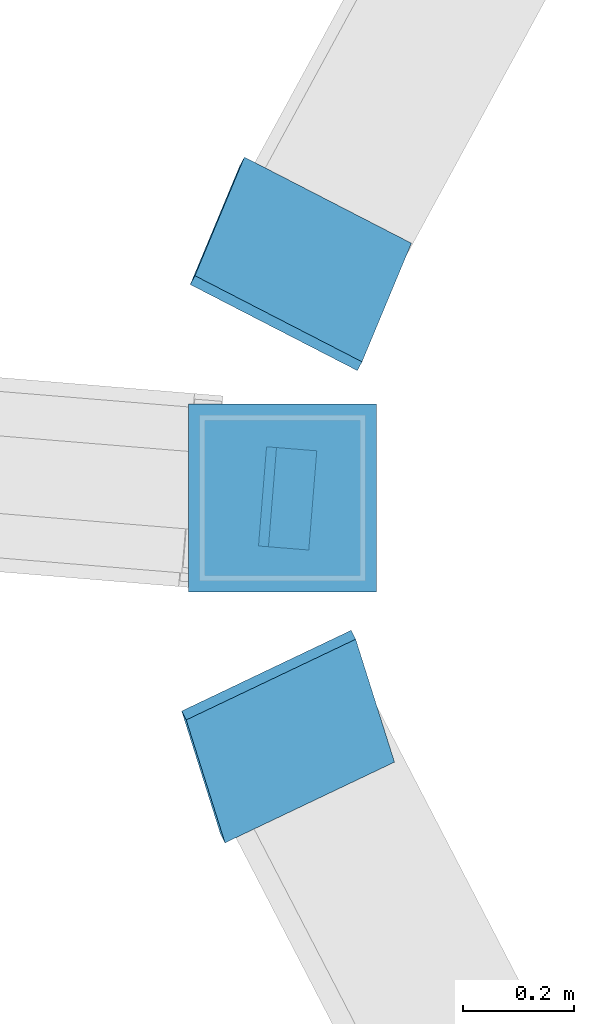
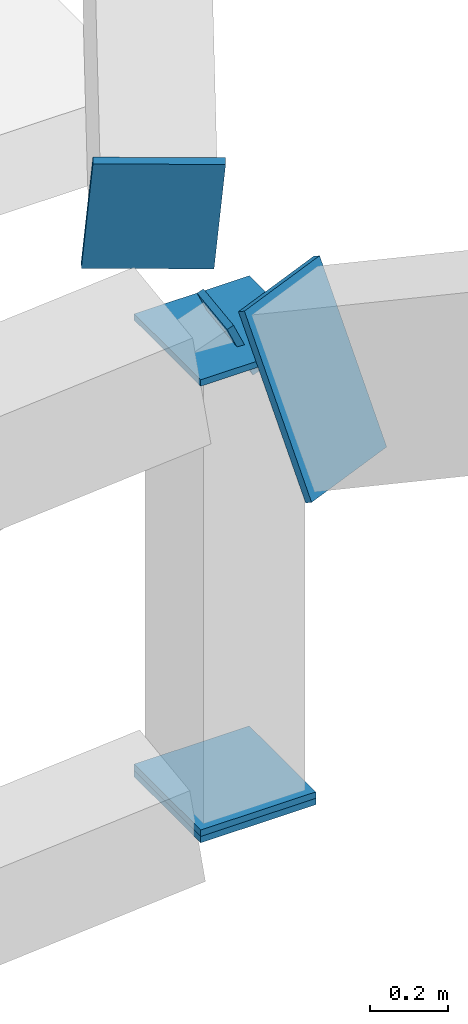
# One storey, part 149 of 188: 6 discrete accessories.
"""IFC4 building model written with IfcOpenShell, lengths in metres."""

import ifcopenshell
import ifcopenshell.guid

model = None  # the IFC model being written
_history = None  # IfcOwnerHistory: only IFC2X3 demands one
_inside = {}  # id of a spatial element -> (the spatial element, [elements in it])
_under = {}  # id of a project, library or spatial element -> (it, [spatial elements below it])
_declared = {}  # id of a project -> (the project, [libraries it declares])
_typed = {}  # id of a type object -> (the type object, [elements of that type])
_made_of = {}  # id of a material, layer set ... -> (it, [elements and type objects made of it])


def new_model(schema):
    """Start an empty IFC model of exactly this schema.

    Asked for "IFC4X3", IfcOpenShell would pick the latest addendum, in which some entities
    have other attributes; the version numbers below select the first issue.
    IFC2X3 requires an IfcOwnerHistory on every rooted entity: one is made here for all.
    """
    global model, _history
    if schema == "IFC4X3":
        model = ifcopenshell.file(schema_version=(4, 3, 0, 0))
    else:
        model = ifcopenshell.file(schema=schema)
    _inside.clear()
    _under.clear()
    _declared.clear()
    _typed.clear()
    _made_of.clear()
    _history = None
    if model.schema == "IFC2X3":
        org = make("IfcOrganization", Name="unknown")
        user = make(
            "IfcPersonAndOrganization",
            ThePerson=make("IfcPerson", FamilyName="unknown"),
            TheOrganization=org,
        )
        app = make(
            "IfcApplication",
            ApplicationDeveloper=org,
            Version="unknown",
            ApplicationFullName="unknown",
            ApplicationIdentifier="unknown",
        )
        _history = make(
            "IfcOwnerHistory",
            OwningUser=user,
            OwningApplication=app,
            ChangeAction="ADDED",
            CreationDate=0,
        )
    return model


def make(cls, **values):
    """One entity of the class cls with the attributes given. An attribute that is None is left unset."""
    return model.create_entity(
        cls, **{name: value for name, value in values.items() if value is not None}
    )


def rooted(cls, **values):
    """An entity with a GlobalId (a new one), such as an element, a storey or a relation."""
    return make(cls, GlobalId=ifcopenshell.guid.new(), OwnerHistory=_history, **values)


def si_unit(unit_type, name, prefix=None):
    """IfcSIUnit, for example si_unit("LENGTHUNIT", "METRE", prefix="MILLI")."""
    return make("IfcSIUnit", UnitType=unit_type, Prefix=prefix, Name=name)


def assignment(units):
    """IfcUnitAssignment: the units of a project."""
    return None if units is None else make("IfcUnitAssignment", Units=units)


def point(xyz):
    """IfcCartesianPoint."""
    return None if xyz is None else make("IfcCartesianPoint", Coordinates=xyz)


def direction(xyz):
    """IfcDirection."""
    return None if xyz is None else make("IfcDirection", DirectionRatios=xyz)


def frame(location, z_axis=None, x_axis=None):
    """IfcAxis2Placement3D, a coordinate frame: its origin and axes. An axis left out is left unset."""
    return make(
        "IfcAxis2Placement3D",
        Location=point(location),
        Axis=direction(z_axis),
        RefDirection=direction(x_axis),
    )


def frame_2d(location, x_axis=None):
    """IfcAxis2Placement2D, a coordinate frame in the plane: its origin and x axis."""
    return make(
        "IfcAxis2Placement2D", Location=point(location), RefDirection=direction(x_axis)
    )


def origin():
    """The frame at (0, 0, 0) with its axes left unset."""
    return frame((0.0, 0.0, 0.0))


def origin_2d():
    """The frame at (0, 0) in the plane with its x axis left unset."""
    return frame_2d((0.0, 0.0))


def place(relative_to, where):
    """IfcLocalPlacement: puts the frame where relative to a parent placement (None: the world)."""
    return make(
        "IfcLocalPlacement", PlacementRelTo=relative_to, RelativePlacement=where
    )


def context(
    kind, dimensions, precision=None, world=None, true_north=None, identifier=None
):
    """IfcGeometricRepresentationContext, for example the 3D "Model" context."""
    return make(
        "IfcGeometricRepresentationContext",
        ContextIdentifier=identifier,
        ContextType=kind,
        CoordinateSpaceDimension=dimensions,
        Precision=precision,
        WorldCoordinateSystem=world,
        TrueNorth=true_north,
    )


def subcontext(parent, identifier, kind, view, scale=None):
    """IfcGeometricRepresentationSubContext, for example "Body" below "Model"."""
    return make(
        "IfcGeometricRepresentationSubContext",
        ContextIdentifier=identifier,
        ContextType=kind,
        ParentContext=parent,
        TargetScale=scale,
        TargetView=view,
    )


def project(units=None, contexts=None):
    """IfcProject with its units and contexts."""
    return rooted(
        "IfcProject",
        Name="project",
        RepresentationContexts=contexts,
        UnitsInContext=assignment(units),
    )


def spatial(cls, under=None, at=None, **own):
    """A site, building, storey or space (cls), placed at a placement, below another one or the project."""
    s = rooted(cls, ObjectPlacement=at, **own)
    if under is not None:
        _under.setdefault(under.id(), (under, []))[1].append(s)
    return s


def profile(cls, at=None, kind="AREA", **sizes):
    """A parametric profile (cls). Its sizes go by their IFC names, for example OverallWidth=200.0."""
    return make(cls, ProfileType=kind, Position=at, **sizes)


def rectangle(**sizes):
    """IfcRectangleProfileDef."""
    return profile("IfcRectangleProfileDef", **sizes)


def extrude(swept, where, along, depth):
    """IfcExtrudedAreaSolid: the profile swept, set in the frame where, extruded along a direction by depth."""
    return make(
        "IfcExtrudedAreaSolid",
        SweptArea=swept,
        Position=where,
        ExtrudedDirection=direction(along),
        Depth=depth,
    )


def shape(context_of_items, identifier, shape_type, items):
    """IfcShapeRepresentation: the items that make up one representation, for example the "Body"."""
    return make(
        "IfcShapeRepresentation",
        ContextOfItems=context_of_items,
        RepresentationIdentifier=identifier,
        RepresentationType=shape_type,
        Items=items,
    )


def material(Name=None, Category=None):
    """IfcMaterial."""
    return make("IfcMaterial", Name=Name, Category=Category)


def material_profile(
    of_material, cross_section, Name=None, Category=None, Priority=None
):
    """IfcMaterialProfile: a cross section and its material."""
    return make(
        "IfcMaterialProfile",
        Name=Name,
        Material=of_material,
        Profile=cross_section,
        Priority=Priority,
        Category=Category,
    )


def profile_set(profiles, Name=None, composite=None):
    """IfcMaterialProfileSet."""
    return make(
        "IfcMaterialProfileSet",
        Name=Name,
        MaterialProfiles=profiles,
        CompositeProfile=composite,
    )


def made_of(thing, what):
    """Note that an element or type object is made of a material, layer set ...; save() writes the relation."""
    if what is not None:
        _made_of.setdefault(what.id(), (what, []))[1].append(thing)
    return thing


def type_object(cls, material=None, **own):
    """A type object (cls), such as IfcWallType, which elements share."""
    return made_of(rooted(cls, **own), material)


def element(
    cls,
    number,
    at=None,
    inside=None,
    cuts=None,
    type_object=None,
    material=None,
    context=None,
    identifier="Body",
    shape_type=None,
    held_by="IfcProductDefinitionShape",
    body=None,
    shapes=None,
    **own,
):
    """One element of the class cls, such as IfcWall. Its Tag is "e" and its number.

    at: its placement. inside: the storey or other place that contains it. cuts: it is an
    opening in that element (IfcRelVoidsElement). A single representation is given by context,
    identifier, shape_type and body (its items); several are given by shapes. held_by: the class
    of the entity that holds the representations. save() writes the other relations.
    """
    e = rooted(cls, Tag="e%d" % number, ObjectPlacement=at, **own)
    if body is not None:
        shapes = [shape(context, identifier, shape_type, body)]
    if shapes is not None:
        e.Representation = make(held_by, Representations=shapes)
    if inside is not None:
        _inside.setdefault(inside.id(), (inside, []))[1].append(e)
    if cuts is not None:
        rooted(
            "IfcRelVoidsElement", RelatingBuildingElement=cuts, RelatedOpeningElement=e
        )
    if type_object is not None:
        _typed.setdefault(type_object.id(), (type_object, []))[1].append(e)
    return made_of(e, material)


def aggregate(whole, parts):
    """IfcRelAggregates: a whole, such as a stair, and the parts it consists of."""
    return rooted("IfcRelAggregates", RelatingObject=whole, RelatedObjects=parts)


def save(model, path):
    """Write the relations noted so far, then the file.

    IfcRelAggregates (storeys below a building ...), IfcRelContainedInSpatialStructure (elements
    in a storey), IfcRelDefinesByType, IfcRelAssociatesMaterial and IfcRelDeclares: one each for
    every whole, place, type object, material and project.
    """
    for whole, parts in _under.values():
        aggregate(whole, parts)
    for where, things in _inside.values():
        rooted(
            "IfcRelContainedInSpatialStructure",
            RelatedElements=things,
            RelatingStructure=where,
        )
    for kind, things in _typed.values():
        rooted("IfcRelDefinesByType", RelatedObjects=things, RelatingType=kind)
    for what, things in _made_of.values():
        rooted("IfcRelAssociatesMaterial", RelatedObjects=things, RelatingMaterial=what)
    for by, libraries in _declared.values():
        rooted("IfcRelDeclares", RelatingContext=by, RelatedDefinitions=libraries)
    model.write(path)


model = new_model("IFC4")

# Units and contexts
model_context = context("Model", 3, precision=1e-05, world=origin(), true_north=direction((0.0, 1.0)))
body_context = subcontext(model_context, "Body", "Model", "MODEL_VIEW")
ifc_project = project(units=[si_unit("LENGTHUNIT", "METRE"), si_unit("AREAUNIT", "SQUARE_METRE"), si_unit("VOLUMEUNIT", "CUBIC_METRE"), si_unit("PLANEANGLEUNIT", "RADIAN"), si_unit("MASSUNIT", "GRAM", prefix="KILO")], contexts=[model_context])

# Site, building, storey
site_placement = place(None, origin())
site = spatial("IfcSite", under=ifc_project, at=site_placement, CompositionType="ELEMENT")
building_placement = place(site_placement, origin())
building = spatial("IfcBuilding", under=site, at=building_placement, Name="Meseta Stadium", CompositionType="ELEMENT")
storey_placement = place(building_placement, frame((0.0, 0.0, 30.0)))
storey = spatial("IfcBuildingStorey", under=building, at=storey_placement, Name="ROOF", CompositionType="ELEMENT", Elevation=30.0)

# Discrete accessories
ifc_material_1 = material(Name="Steel S355", Category="steel")
ifc_material_profile_1 = material_profile(ifc_material_1, rectangle(XDim=0.179931640625, YDim=0.179931640625, at=origin_2d()), Name="PL 180x180")
ifc_profile_set_1 = profile_set([ifc_material_profile_1], Name="Steel S355")
discrete_accessory_type_1 = type_object("IfcDiscreteAccessoryType", Name="End plate 180x180x20", PredefinedType="ANCHORPLATE", material=ifc_profile_set_1)
discrete_accessory_placement = place(storey_placement, frame((94.60009765625, -43.75, 3.673095703125), z_axis=(0.910808035252, -0.073849300156, 0.406171150856), x_axis=(0.080815868766, 0.996729048115, 0.0)))
element("IfcDiscreteAccessory", 1, at=discrete_accessory_placement, inside=storey, type_object=discrete_accessory_type_1, Name="End plate of ROOF TRUSS RT-01 diagonal", PredefinedType="ANCHORPLATE", context=body_context, shape_type="SweptSolid", body=[
    extrude(rectangle(XDim=0.179931640625, YDim=0.179931640625, at=origin_2d()), origin(), (0.0, 0.0, 1.0), 0.019775390625),
])
ifc_material_2 = material(Name="Steel S355", Category="steel")
ifc_material_profile_2 = material_profile(ifc_material_2, rectangle(XDim=0.340087890625, YDim=0.340087890625, at=origin_2d()), Name="PL 340x340")
ifc_profile_set_2 = profile_set([ifc_material_profile_2], Name="Steel S355")
discrete_accessory_type_2 = type_object("IfcDiscreteAccessoryType", Name="End plate 340x340x20", PredefinedType="ANCHORPLATE", material=ifc_profile_set_2)
for number, where, z_axis, x_axis, name in (
    (2, (94.60009765625, -43.75, 2.2470703125), (0.0, 0.0, 1.0), (1.0, 0.0, 0.0), "End plate of ROOF TRUSS RT-01 post"),
    (3, (94.60009765625, -43.75, 3.673095703125), (0.0, 0.0, 1.0), (1.0, 0.0, 0.0), "End plate of ROOF TRUSS RT-01 post"),
    (4, (94.60009765625, -43.75, 2.26708984375), (0.0, 0.0, 1.0), (1.0, 0.0, 0.0), "End plate of ROOF RIM POST RT-01"),
):
    element("IfcDiscreteAccessory", number, at=place(storey_placement, frame(where, z_axis=z_axis, x_axis=x_axis)), inside=storey, type_object=discrete_accessory_type_2, Name=name, PredefinedType="ANCHORPLATE", context=body_context, shape_type="SweptSolid", body=[
        extrude(rectangle(XDim=0.340087890625, YDim=0.340087890625, at=origin_2d()), origin(), (0.0, 0.0, 1.0), 0.02001953125),
    ])
ifc_material_3 = material(Name="Steel S355", Category="steel")
ifc_material_profile_3 = material_profile(ifc_material_3, rectangle(XDim=0.340087890625, YDim=0.5400390625, at=origin_2d()), Name="PL 340x540")
ifc_profile_set_3 = profile_set([ifc_material_profile_3], Name="Steel S355")
discrete_accessory_type_3 = type_object("IfcDiscreteAccessoryType", Name="End plate 340x540x20", PredefinedType="ANCHORPLATE", material=ifc_profile_set_3)
for number, where, z_axis, x_axis, name in (
    (5, (94.614013671875, -44.189453125, 3.794677734375), (-0.414233905379, 0.804101110442, -0.426417255537), (-0.900852254753, -0.429081169652, 0.065989127559), "End plate of RIM RING BEAM 01"),
    (6, (94.628662109375, -43.334716796875, 3.779052734375), (0.428393042953, 0.795587079771, 0.428393042953), (-0.888311878007, 0.457630143221, 0.03842732631), "End plate of RIM RING BEAM 02"),
):
    element("IfcDiscreteAccessory", number, at=place(storey_placement, frame(where, z_axis=z_axis, x_axis=x_axis)), inside=storey, type_object=discrete_accessory_type_3, Name=name, PredefinedType="ANCHORPLATE", context=body_context, shape_type="SweptSolid", body=[
        extrude(rectangle(XDim=0.340087890625, YDim=0.5400390625, at=origin_2d()), origin(), (0.0, 0.0, 1.0), 0.02001953125),
    ])

save(model, "model.ifc")
